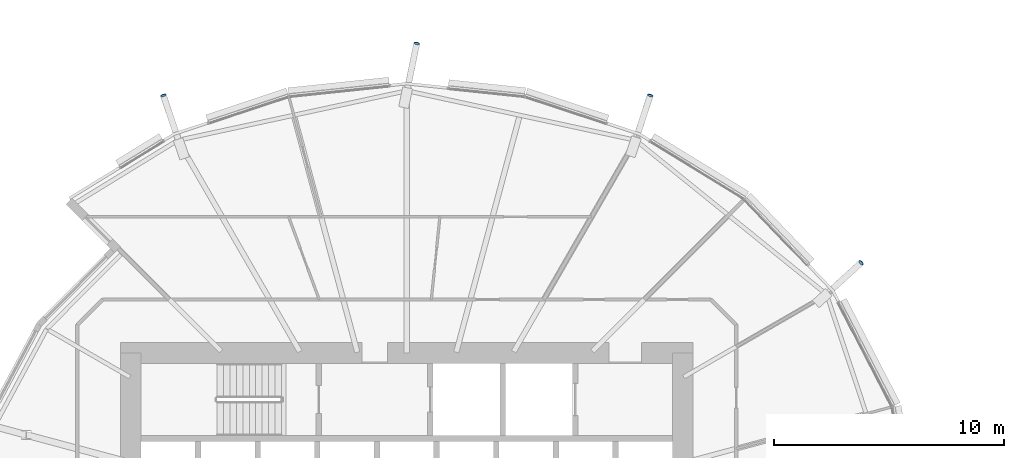
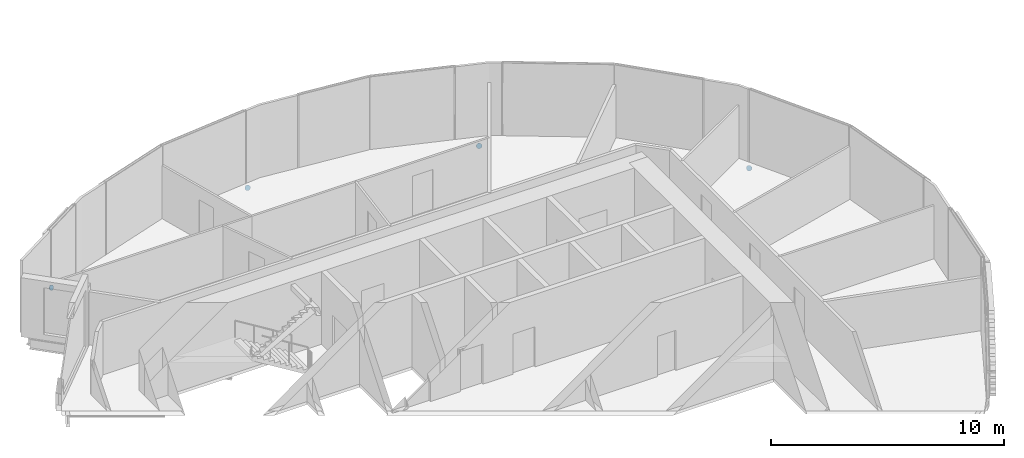
# One storey, part 28 of 36: 4 discrete accessories.
"""IFC4 building model written with IfcOpenShell, lengths in metres."""

from ifc_helpers import new_model, si_unit, direction, frame, origin, origin_2d, place, context, subcontext, project, spatial, circle, extrude, material, material_profile, profile_set, type_object, element, save


model = new_model("IFC4")

# Units and contexts
model_context = context("Model", 3, precision=1e-05, world=origin(), true_north=direction((0.0, 1.0)))
body_context = subcontext(model_context, "Body", "Model", "MODEL_VIEW")
ifc_project = project(units=[si_unit("LENGTHUNIT", "METRE"), si_unit("AREAUNIT", "SQUARE_METRE"), si_unit("VOLUMEUNIT", "CUBIC_METRE"), si_unit("PLANEANGLEUNIT", "RADIAN"), si_unit("MASSUNIT", "GRAM", prefix="KILO")], contexts=[model_context])

# Site, building, storey
site_placement = place(None, origin())
site = spatial("IfcSite", under=ifc_project, at=site_placement, CompositionType="ELEMENT")
building_placement = place(site_placement, origin())
building = spatial("IfcBuilding", under=site, at=building_placement, Name="Rimbun Link Towers", CompositionType="ELEMENT")
storey_placement = place(building_placement, frame((0.0, 0.0, 33.800048828125)))
storey = spatial("IfcBuildingStorey", under=building, at=storey_placement, Name="L07", CompositionType="ELEMENT", Elevation=33.800048828125)

# Discrete accessories
ifc_material = material(Name="Steel S355J2H", Category="steel")
ifc_material_profile = material_profile(ifc_material, circle(Radius=0.1240234375, at=origin_2d()), Name="PL D248")
ifc_profile_set = profile_set([ifc_material_profile], Name="Steel S355J2H")
discrete_accessory_type = type_object("IfcDiscreteAccessoryType", Name="Link foot sealing plate D248X20", PredefinedType="BRACKET", material=ifc_profile_set)
for number, where, z_axis, x_axis, name in (
    (1, (-11.9951171875, 11.919189453125, -1.734130859375), (0.66721831481, 0.594430862285, -0.448855957236), (-0.665206042149, 0.746659843228, 0.0), "Link foot sealing plate T1 L07 02"),
    (2, (-21.162841796875, 19.193115234375, -1.769287109375), (0.291385758707, 0.874157276122, -0.388514344943), (-0.948683298051, 0.316227766017, 0.0), "Link foot sealing plate T1 L07 04"),
    (3, (-31.318115234375, 21.455810546875, -1.777587890625), (0.182913228255, 0.902371926058, -0.390214886944), (-0.980067977123, 0.198662427795, 0.0), "Link foot sealing plate T1 L07 06"),
    (4, (-42.3349609375, 19.1962890625, -1.77685546875), (-0.294085848838, 0.882257546513, -0.367607311047), (-0.948683298051, -0.316227766017, 0.0), "Link foot sealing plate T1 L07 08"),
):
    element("IfcDiscreteAccessory", number, at=place(storey_placement, frame(where, z_axis=z_axis, x_axis=x_axis)), inside=storey, type_object=discrete_accessory_type, Name=name, PredefinedType="BRACKET", context=body_context, shape_type="SweptSolid", body=[
        extrude(circle(Radius=0.1240234375, at=origin_2d()), origin(), (0.0, 0.0, 1.0), 0.02001953125),
    ])

save(model, "model.ifc")
